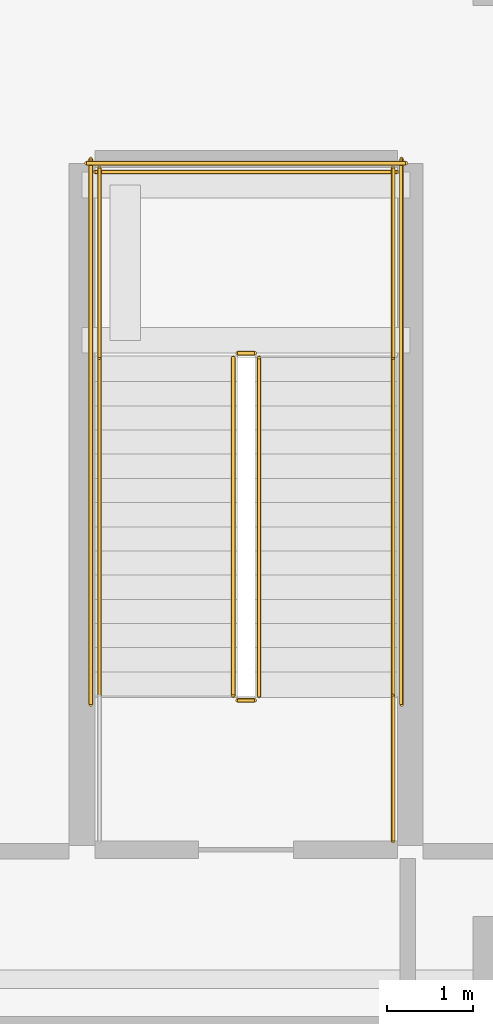
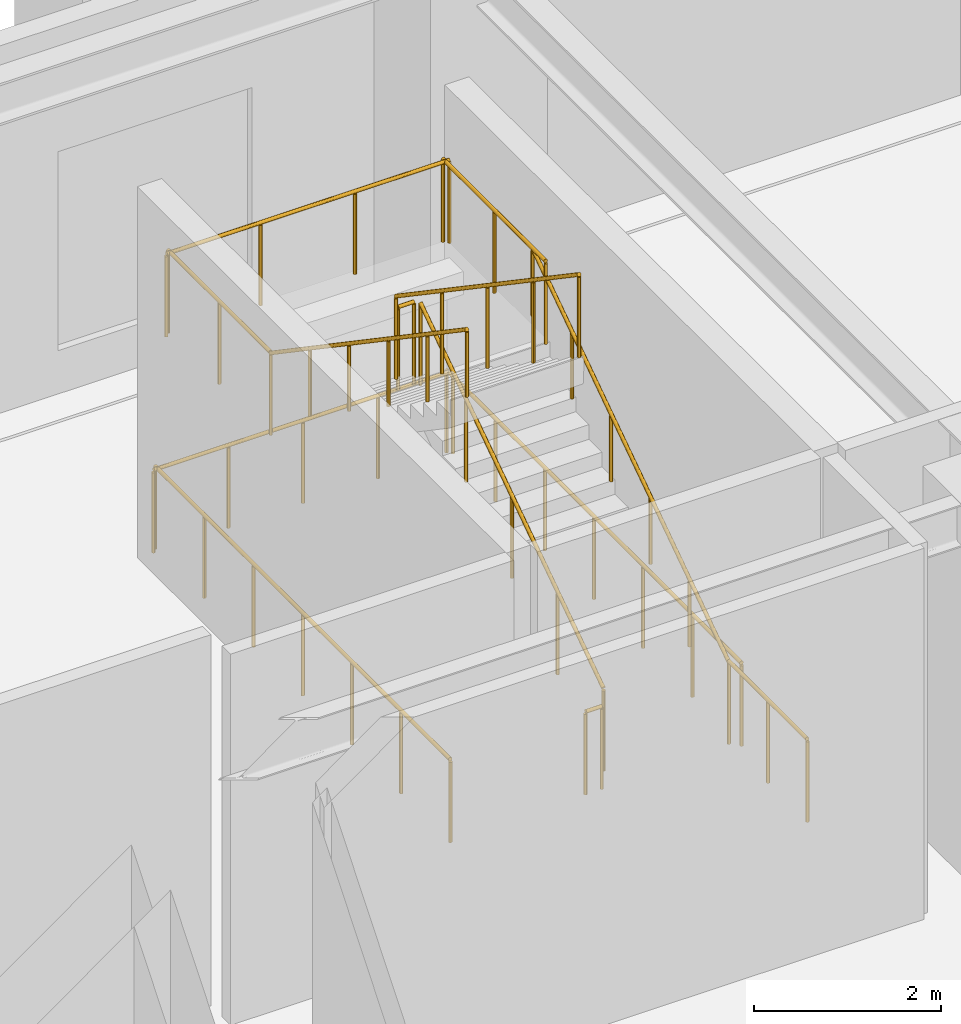
# One storey, part 12 of 12: 13 railings.
"""IFC4 building model written with IfcOpenShell, lengths in metres."""

from ifc_helpers import new_model, si_unit, direction, frame, origin, origin_2d, place, context, subcontext, project, spatial, circle, extrude, material, type_object, element, save


model = new_model("IFC4")

# Units and contexts
model_context = context("Model", 3, precision=1e-05, world=origin(), true_north=direction((0.0, 1.0)))
body_context = subcontext(model_context, "Body", "Model", "MODEL_VIEW")
ifc_project = project(units=[si_unit("LENGTHUNIT", "METRE"), si_unit("AREAUNIT", "SQUARE_METRE"), si_unit("VOLUMEUNIT", "CUBIC_METRE"), si_unit("PLANEANGLEUNIT", "RADIAN"), si_unit("MASSUNIT", "GRAM", prefix="KILO")], contexts=[model_context])

# Site, building, storey
site_placement = place(None, origin())
site = spatial("IfcSite", under=ifc_project, at=site_placement, CompositionType="ELEMENT")
building_placement = place(site_placement, origin())
building = spatial("IfcBuilding", under=site, at=building_placement, Name="Serunith Strait Residences", CompositionType="ELEMENT")
storey_placement = place(building_placement, frame((0.0, 0.0, 15.300048828125)))
storey = spatial("IfcBuildingStorey", under=building, at=storey_placement, Name="L03", CompositionType="ELEMENT", Elevation=15.300048828125)

# Railings
ifc_material = material(Name="Brushed stainless steel 316L", Category="steel")
railing_type_1 = type_object("IfcRailingType", Name="RLG-STAIR-GUARD", PredefinedType="BALUSTRADE", material=ifc_material)
railing_1_placement = place(storey_placement, frame((49.0, 36.8798828125, 0.18994140625)))
element("IfcRailing", 1, at=railing_1_placement, inside=storey, type_object=railing_type_1, Name="L03 ST-4 stair guard 1", PredefinedType="BALUSTRADE", context=body_context, shape_type="SweptSolid", body=[
    extrude(circle(Radius=0.02392578125, at=origin_2d()), frame((0.0, 0.001708984375, 1.0771484375), z_axis=(0.0, 0.827495442652, 0.56147243244), x_axis=(-1.0, 0.0, 0.0)), (0.0, 0.0, 1.0), 4.7333984375),
    extrude(circle(Radius=0.02099609375, at=origin_2d()), origin(), (0.0, 0.0, 1.0), 1.050048828125),
    extrude(circle(Radius=0.02099609375, at=origin_2d()), frame((0.0, 0.97998046875, 0.6650390625)), (0.0, 0.0, 1.0), 1.050048828125),
    extrude(circle(Radius=0.02099609375, at=origin_2d()), frame((0.0, 1.9599609375, 1.330078125)), (0.0, 0.0, 1.0), 1.050048828125),
    extrude(circle(Radius=0.02099609375, at=origin_2d()), frame((0.0, 2.940185546875, 1.994873046875)), (0.0, 0.0, 1.0), 1.050048828125),
    extrude(circle(Radius=0.02099609375, at=origin_2d()), frame((0.0, 3.920166015625, 2.659912109375)), (0.0, 0.0, 1.0), 1.050048828125),
])
railing_2_placement = place(storey_placement, frame((48.949951171875, 40.85009765625, 2.849853515625)))
element("IfcRailing", 2, at=railing_2_placement, inside=storey, type_object=railing_type_1, Name="L03 ST-4 stair guard 2", PredefinedType="BALUSTRADE", context=body_context, shape_type="SweptSolid", body=[
    extrude(circle(Radius=0.02392578125, at=origin_2d()), frame((-0.001953125, 0.0, 1.076171875), z_axis=(-1.0, 0.0, 0.0), x_axis=(0.0, -1.0, 0.0)), (0.0, 0.0, 1.0), 0.196044921875),
    extrude(circle(Radius=0.02099609375, at=origin_2d()), origin(), (0.0, 0.0, 1.0), 1.050048828125),
    extrude(circle(Radius=0.02099609375, at=origin_2d()), frame((-0.199951171875, 0.0, 0.0)), (0.0, 0.0, 1.0), 1.050048828125),
])
for number, where, name in (
    (3, (50.550048828125, 40.800048828125, 2.849853515625), "L03 ST-4 stair guard 3"),
    (4, (47.14990234375, 40.800048828125, 2.849853515625), "L03 ST-4 stair guard 4"),
):
    element("IfcRailing", number, at=place(storey_placement, frame(where)), inside=storey, type_object=railing_type_1, Name=name, PredefinedType="BALUSTRADE", context=body_context, shape_type="SweptSolid", body=[
        extrude(circle(Radius=0.02392578125, at=origin_2d()), frame((0.0, 0.001953125, 1.076171875), z_axis=(0.0, 1.0, 0.0), x_axis=(-1.0, 0.0, 0.0)), (0.0, 0.0, 1.0), 2.196044921875),
        extrude(circle(Radius=0.02099609375, at=origin_2d()), origin(), (0.0, 0.0, 1.0), 1.050048828125),
        extrude(circle(Radius=0.02099609375, at=origin_2d()), frame((0.0, 1.10009765625, 0.0)), (0.0, 0.0, 1.0), 1.050048828125),
        extrude(circle(Radius=0.02099609375, at=origin_2d()), frame((0.0, 2.199951171875, 0.0)), (0.0, 0.0, 1.0), 1.050048828125),
    ])
railing_3_placement = place(storey_placement, frame((50.60009765625, 42.949951171875, 2.849853515625)))
element("IfcRailing", 5, at=railing_3_placement, inside=storey, type_object=railing_type_1, Name="L03 ST-4 stair guard 5", PredefinedType="BALUSTRADE", context=body_context, shape_type="SweptSolid", body=[
    extrude(circle(Radius=0.02392578125, at=origin_2d()), frame((-0.001953125, 0.0, 1.076171875), z_axis=(-1.0, 0.0, 0.0), x_axis=(0.0, -1.0, 0.0)), (0.0, 0.0, 1.0), 3.49609375),
    extrude(circle(Radius=0.02099609375, at=origin_2d()), origin(), (0.0, 0.0, 1.0), 1.050048828125),
    extrude(circle(Radius=0.02099609375, at=origin_2d()), frame((-1.166748046875, 0.0, 0.0)), (0.0, 0.0, 1.0), 1.050048828125),
    extrude(circle(Radius=0.02099609375, at=origin_2d()), frame((-2.333251953125, 0.0, 0.0)), (0.0, 0.0, 1.0), 1.050048828125),
    extrude(circle(Radius=0.02099609375, at=origin_2d()), frame((-3.5, 0.0, 0.0)), (0.0, 0.0, 1.0), 1.050048828125),
])
railing_4_placement = place(storey_placement, frame((48.699951171875, 40.800048828125, 3.0400390625)))
element("IfcRailing", 6, at=railing_4_placement, inside=storey, type_object=railing_type_1, Name="L03 ST-4 stair guard 6", PredefinedType="BALUSTRADE", context=body_context, shape_type="SweptSolid", body=[
    extrude(circle(Radius=0.02392578125, at=origin_2d()), frame((0.0, -0.001708984375, 1.0771484375), z_axis=(0.0, -0.827495442652, 0.56147243244), x_axis=(1.0, 0.0, 0.0)), (0.0, 0.0, 1.0), 4.7333984375),
    extrude(circle(Radius=0.02099609375, at=origin_2d()), origin(), (0.0, 0.0, 1.0), 1.050048828125),
    extrude(circle(Radius=0.02099609375, at=origin_2d()), frame((0.0, -0.97998046875, 0.6650390625)), (0.0, 0.0, 1.0), 1.050048828125),
    extrude(circle(Radius=0.02099609375, at=origin_2d()), frame((0.0, -1.9599609375, 1.330078125)), (0.0, 0.0, 1.0), 1.050048828125),
    extrude(circle(Radius=0.02099609375, at=origin_2d()), frame((0.0, -2.940185546875, 1.994873046875)), (0.0, 0.0, 1.0), 1.050048828125),
    extrude(circle(Radius=0.02099609375, at=origin_2d()), frame((0.0, -3.920166015625, 2.659912109375)), (0.0, 0.0, 1.0), 1.050048828125),
])
railing_5_placement = place(storey_placement, frame((48.949951171875, 36.830078125, 0.0)))
element("IfcRailing", 7, at=railing_5_placement, inside=storey, type_object=railing_type_1, Name="L03 ST-4 stair guard 7", PredefinedType="BALUSTRADE", context=body_context, shape_type="SweptSolid", body=[
    extrude(circle(Radius=0.02392578125, at=origin_2d()), frame((-0.001953125, 0.0, 1.076171875), z_axis=(-1.0, 0.0, 0.0), x_axis=(0.0, -1.0, 0.0)), (0.0, 0.0, 1.0), 0.196044921875),
    extrude(circle(Radius=0.02099609375, at=origin_2d()), origin(), (0.0, 0.0, 1.0), 1.050048828125),
    extrude(circle(Radius=0.02099609375, at=origin_2d()), frame((-0.199951171875, 0.0, 0.0)), (0.0, 0.0, 1.0), 1.050048828125),
])
railing_6_placement = place(storey_placement, frame((50.550048828125, 35.199951171875, 0.0)))
element("IfcRailing", 8, at=railing_6_placement, inside=storey, type_object=railing_type_1, Name="L03 ST-4 stair guard 8", PredefinedType="BALUSTRADE", context=body_context, shape_type="SweptSolid", body=[
    extrude(circle(Radius=0.02392578125, at=origin_2d()), frame((0.0, 0.001953125, 1.076171875), z_axis=(0.0, 1.0, 0.0), x_axis=(-1.0, 0.0, 0.0)), (0.0, 0.0, 1.0), 1.676025390625),
    extrude(circle(Radius=0.02099609375, at=origin_2d()), origin(), (0.0, 0.0, 1.0), 1.050048828125),
    extrude(circle(Radius=0.02099609375, at=origin_2d()), frame((0.0, 0.83984375, 0.0)), (0.0, 0.0, 1.0), 1.050048828125),
    extrude(circle(Radius=0.02099609375, at=origin_2d()), frame((0.0, 1.679931640625, 0.0)), (0.0, 0.0, 1.0), 1.050048828125),
])
for number, where, name in (
    (9, (50.64990234375, 36.780029296875, 0.0), "L03 ST-4 stair guard 10"),
    (10, (47.050048828125, 36.780029296875, 0.0), "L03 ST-4 stair guard 11"),
):
    element("IfcRailing", number, at=place(storey_placement, frame(where)), inside=storey, type_object=railing_type_1, Name=name, PredefinedType="BALUSTRADE", context=body_context, shape_type="SweptSolid", body=[
        extrude(circle(Radius=0.02392578125, at=origin_2d()), frame((0.0, 0.001953125, 1.076171875), z_axis=(0.0, 1.0, 0.0), x_axis=(-1.0, 0.0, 0.0)), (0.0, 0.0, 1.0), 6.316162109375),
        extrude(circle(Radius=0.02099609375, at=origin_2d()), origin(), (0.0, 0.0, 1.0), 1.050048828125),
        extrude(circle(Radius=0.02099609375, at=origin_2d()), frame((0.0, 1.05322265625, 0.0)), (0.0, 0.0, 1.0), 1.050048828125),
        extrude(circle(Radius=0.02099609375, at=origin_2d()), frame((0.0, 2.106689453125, 0.0)), (0.0, 0.0, 1.0), 1.050048828125),
        extrude(circle(Radius=0.02099609375, at=origin_2d()), frame((0.0, 3.16015625, 0.0)), (0.0, 0.0, 1.0), 1.050048828125),
        extrude(circle(Radius=0.02099609375, at=origin_2d()), frame((0.0, 4.21337890625, 0.0)), (0.0, 0.0, 1.0), 1.050048828125),
        extrude(circle(Radius=0.02099609375, at=origin_2d()), frame((0.0, 5.2666015625, 0.0)), (0.0, 0.0, 1.0), 1.050048828125),
        extrude(circle(Radius=0.02099609375, at=origin_2d()), frame((0.0, 6.320068359375, 0.0)), (0.0, 0.0, 1.0), 1.050048828125),
    ])
railing_7_placement = place(storey_placement, frame((50.699951171875, 43.050048828125, 0.0)))
element("IfcRailing", 11, at=railing_7_placement, inside=storey, type_object=railing_type_1, Name="L03 ST-4 stair guard 12", PredefinedType="BALUSTRADE", context=body_context, shape_type="SweptSolid", body=[
    extrude(circle(Radius=0.02392578125, at=origin_2d()), frame((-0.001953125, 0.0, 1.076171875), z_axis=(-1.0, 0.0, 0.0), x_axis=(0.0, -1.0, 0.0)), (0.0, 0.0, 1.0), 3.696044921875),
    extrude(circle(Radius=0.02099609375, at=origin_2d()), origin(), (0.0, 0.0, 1.0), 1.050048828125),
    extrude(circle(Radius=0.02099609375, at=origin_2d()), frame((-0.925048828125, 0.0, 0.0)), (0.0, 0.0, 1.0), 1.050048828125),
    extrude(circle(Radius=0.02099609375, at=origin_2d()), frame((-1.85009765625, 0.0, 0.0)), (0.0, 0.0, 1.0), 1.050048828125),
    extrude(circle(Radius=0.02099609375, at=origin_2d()), frame((-2.77490234375, 0.0, 0.0)), (0.0, 0.0, 1.0), 1.050048828125),
    extrude(circle(Radius=0.02099609375, at=origin_2d()), frame((-3.699951171875, 0.0, 0.0)), (0.0, 0.0, 1.0), 1.050048828125),
])
railing_type_2 = type_object("IfcRailingType", Name="RLG-STAIR-HR", PredefinedType="HANDRAIL", material=ifc_material)
railing_8_placement = place(storey_placement, frame((50.550048828125, 36.8798828125, 0.18994140625)))
element("IfcRailing", 12, at=railing_8_placement, inside=storey, type_object=railing_type_2, Name="L03 ST-4 stair handrail 1", PredefinedType="HANDRAIL", context=body_context, shape_type="SweptSolid", body=[
    extrude(circle(Radius=0.02392578125, at=origin_2d()), frame((0.0, 0.001708984375, 0.876953125), z_axis=(0.0, 0.827031993623, 0.562154855466), x_axis=(-1.0, 0.0, 0.0)), (0.0, 0.0, 1.0), 5.07470703125),
    extrude(circle(Radius=0.02099609375, at=origin_2d()), origin(), (0.0, 0.0, 1.0), 0.849853515625),
    extrude(circle(Radius=0.02099609375, at=origin_2d()), frame((0.0, 0.840087890625, 0.571044921875)), (0.0, 0.0, 1.0), 0.849853515625),
    extrude(circle(Radius=0.02099609375, at=origin_2d()), frame((0.0, 1.68017578125, 1.14208984375)), (0.0, 0.0, 1.0), 0.849853515625),
    extrude(circle(Radius=0.02099609375, at=origin_2d()), frame((0.0, 2.52001953125, 1.712890625)), (0.0, 0.0, 1.0), 0.849853515625),
    extrude(circle(Radius=0.02099609375, at=origin_2d()), frame((0.0, 3.360107421875, 2.283935546875)), (0.0, 0.0, 1.0), 0.849853515625),
    extrude(circle(Radius=0.02099609375, at=origin_2d()), frame((0.0, 4.2001953125, 2.85498046875)), (0.0, 0.0, 1.0), 0.849853515625),
])
railing_9_placement = place(storey_placement, frame((47.14990234375, 40.800048828125, 3.0400390625)))
element("IfcRailing", 13, at=railing_9_placement, inside=storey, type_object=railing_type_2, Name="L03 ST-4 stair handrail 2", PredefinedType="HANDRAIL", context=body_context, shape_type="SweptSolid", body=[
    extrude(circle(Radius=0.02392578125, at=origin_2d()), frame((0.0, -0.001708984375, 0.876953125), z_axis=(0.0, -0.827016801072, 0.562177205821), x_axis=(1.0, 0.0, 0.0)), (0.0, 0.0, 1.0), 5.074462890625),
    extrude(circle(Radius=0.02099609375, at=origin_2d()), origin(), (0.0, 0.0, 1.0), 0.849853515625),
    extrude(circle(Radius=0.02099609375, at=origin_2d()), frame((0.0, -0.840087890625, 0.571044921875)), (0.0, 0.0, 1.0), 0.849853515625),
    extrude(circle(Radius=0.02099609375, at=origin_2d()), frame((0.0, -1.679931640625, 1.14208984375)), (0.0, 0.0, 1.0), 0.849853515625),
    extrude(circle(Radius=0.02099609375, at=origin_2d()), frame((0.0, -2.52001953125, 1.712890625)), (0.0, 0.0, 1.0), 0.849853515625),
    extrude(circle(Radius=0.02099609375, at=origin_2d()), frame((0.0, -3.35986328125, 2.283935546875)), (0.0, 0.0, 1.0), 0.849853515625),
    extrude(circle(Radius=0.02099609375, at=origin_2d()), frame((0.0, -4.199951171875, 2.85498046875)), (0.0, 0.0, 1.0), 0.849853515625),
])

save(model, "model.ifc")
